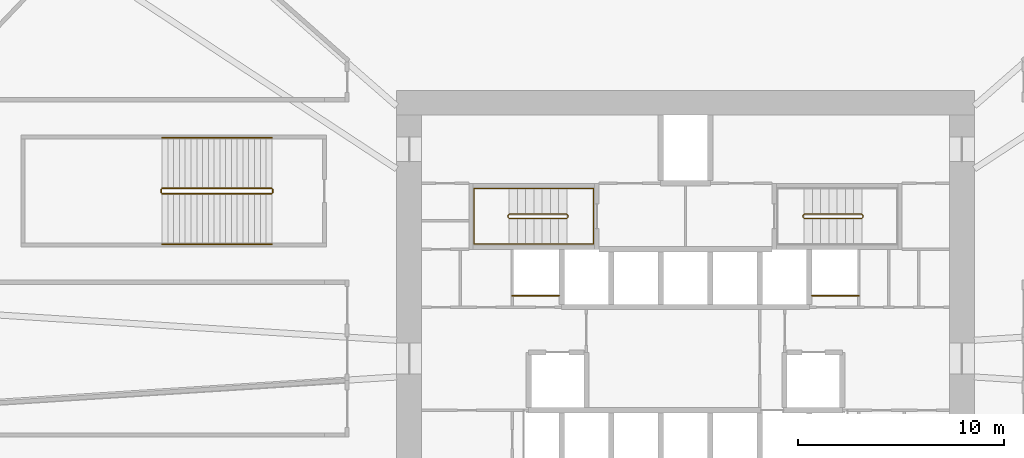
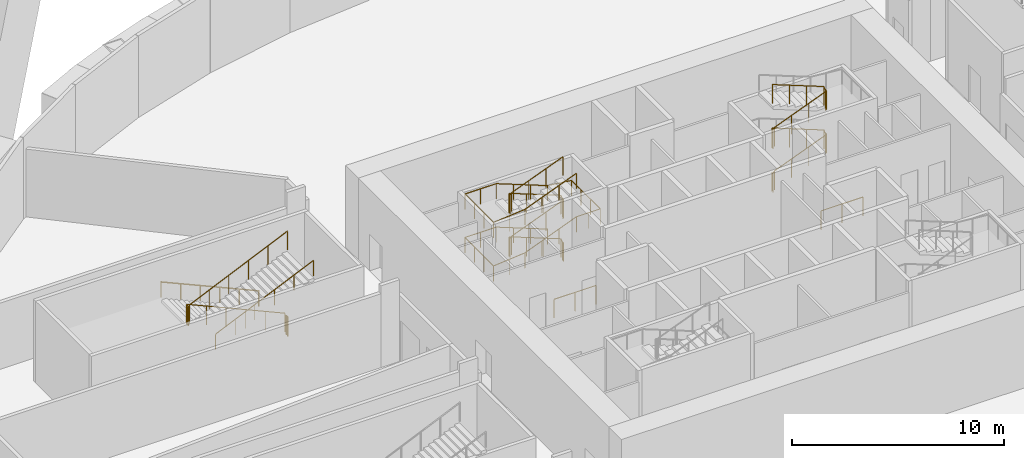
# One storey, part 15 of 16: 11 railings.
"""IFC4 building model written with IfcOpenShell, lengths in metres."""

from ifc_helpers import new_model, si_unit, direction, frame, origin, origin_2d, place, context, subcontext, project, spatial, circle, extrude, source, transform, mapped, material, type_object, element, save


model = new_model("IFC4")

# Units and contexts
model_context = context("Model", 3, precision=1e-05, world=origin(), true_north=direction((0.0, 1.0)))
body_context = subcontext(model_context, "Body", "Model", "MODEL_VIEW")
ifc_project = project(units=[si_unit("LENGTHUNIT", "METRE"), si_unit("AREAUNIT", "SQUARE_METRE"), si_unit("VOLUMEUNIT", "CUBIC_METRE"), si_unit("PLANEANGLEUNIT", "RADIAN"), si_unit("MASSUNIT", "GRAM", prefix="KILO")], contexts=[model_context])

# Site, building, storey
site_placement = place(None, origin())
site = spatial("IfcSite", under=ifc_project, at=site_placement, CompositionType="ELEMENT")
building_placement = place(site_placement, origin())
building = spatial("IfcBuilding", under=site, at=building_placement, Name="Embergate Tower", CompositionType="ELEMENT")
storey_placement = place(building_placement, frame((0.0, 0.0, 24.0)))
storey = spatial("IfcBuildingStorey", under=building, at=storey_placement, Name="L02", CompositionType="ELEMENT", Elevation=24.0)

# Railings
ifc_material_1 = material(Name="Stair guard 1100")
railing_type_1 = type_object("IfcRailingType", Name="Stair guard 1100", PredefinedType="GUARDRAIL", material=ifc_material_1)
shared_shape_1 = source(origin(), body_context, "Body", "SweptSolid", [
    extrude(circle(Radius=0.02392578125, at=origin_2d()), frame((0.0, 0.0, 1.076171875), z_axis=(0.0, 1.0, 0.0), x_axis=(-1.0, 0.0, 0.0)), (0.0, 0.0, 1.0), 0.099853515625),
    extrude(circle(Radius=0.02392578125, at=origin_2d()), frame((0.0, 0.099853515625, 1.076171875), z_axis=(-0.29177245553, 0.29177245553, 0.91089937336), x_axis=(-0.707106781187, -0.707106781187, 0.0)), (0.0, 0.0, 1.0), 0.171630859375),
    extrude(circle(Radius=0.02392578125, at=origin_2d()), frame((-0.050048828125, 0.14990234375, 1.232421875), z_axis=(-0.93145949984, 0.0, 0.363845022171), x_axis=(0.0, -1.0, 0.0)), (0.0, 0.0, 1.0), 3.006103515625),
    extrude(circle(Radius=0.02392578125, at=origin_2d()), frame((-2.85009765625, 0.14990234375, 2.326171875), z_axis=(-0.707106781187, -0.707106781187, 0.0), x_axis=(0.707106781187, -0.707106781187, 0.0)), (0.0, 0.0, 1.0), 0.07080078125),
    extrude(circle(Radius=0.02392578125, at=origin_2d()), frame((-2.900146484375, 0.099853515625, 2.326171875), z_axis=(0.0, -1.0, 0.0), x_axis=(1.0, 0.0, 0.0)), (0.0, 0.0, 1.0), 0.099853515625),
    extrude(circle(Radius=0.02392578125, at=origin_2d()), frame((-2.900146484375, 0.0, 2.326171875), z_axis=(0.29177245553, -0.29177245553, 0.91089937336), x_axis=(0.707106781187, 0.707106781187, 0.0)), (0.0, 0.0, 1.0), 0.171630859375),
    extrude(circle(Radius=0.02392578125, at=origin_2d()), frame((-2.85009765625, -0.050048828125, 2.482421875), z_axis=(0.93145949984, 0.0, 0.363845022171), x_axis=(0.0, 1.0, 0.0)), (0.0, 0.0, 1.0), 3.006103515625),
    extrude(circle(Radius=0.02392578125, at=origin_2d()), frame((-0.050048828125, -0.050048828125, 3.576171875), z_axis=(0.707106781187, 0.707106781187, 0.0), x_axis=(-0.707106781187, 0.707106781187, 0.0)), (0.0, 0.0, 1.0), 0.07080078125),
    extrude(circle(Radius=0.02392578125, at=origin_2d()), frame((0.0, 0.0, 3.576171875), z_axis=(0.0, 1.0, 0.0), x_axis=(-1.0, 0.0, 0.0)), (0.0, 0.0, 1.0), 0.099853515625),
    extrude(circle(Radius=0.02392578125, at=origin_2d()), frame((0.0, 0.099853515625, 3.576171875), z_axis=(-0.29177245553, 0.29177245553, 0.91089937336), x_axis=(-0.707106781187, -0.707106781187, 0.0)), (0.0, 0.0, 1.0), 0.171630859375),
    extrude(circle(Radius=0.02392578125, at=origin_2d()), frame((-0.050048828125, 0.14990234375, 3.732421875), z_axis=(-0.93145949984, 0.0, 0.363845022171), x_axis=(0.0, -1.0, 0.0)), (0.0, 0.0, 1.0), 3.006103515625),
    extrude(circle(Radius=0.02392578125, at=origin_2d()), frame((-2.85009765625, 0.14990234375, 4.826171875), z_axis=(-0.707106781187, -0.707106781187, 0.0), x_axis=(0.707106781187, -0.707106781187, 0.0)), (0.0, 0.0, 1.0), 0.07080078125),
    extrude(circle(Radius=0.02392578125, at=origin_2d()), frame((-2.900146484375, 0.099853515625, 4.826171875), z_axis=(0.0, -1.0, 0.0), x_axis=(1.0, 0.0, 0.0)), (0.0, 0.0, 1.0), 0.099853515625),
    extrude(circle(Radius=0.02392578125, at=origin_2d()), frame((-2.900146484375, 0.0, 4.826171875), z_axis=(0.29177245553, -0.29177245553, 0.91089937336), x_axis=(0.707106781187, 0.707106781187, 0.0)), (0.0, 0.0, 1.0), 0.171630859375),
    extrude(circle(Radius=0.02392578125, at=origin_2d()), frame((-2.85009765625, -0.050048828125, 4.982421875), z_axis=(0.93145949984, 0.0, 0.363845022171), x_axis=(0.0, 1.0, 0.0)), (0.0, 0.0, 1.0), 3.006103515625),
    extrude(circle(Radius=0.02099609375, at=origin_2d()), origin(), (0.0, 0.0, 1.0), 1.052001953125),
    extrude(circle(Radius=0.02099609375, at=origin_2d()), frame((0.0, 0.099853515625, 0.0)), (0.0, 0.0, 1.0), 1.052001953125),
    extrude(circle(Radius=0.02099609375, at=origin_2d()), frame((-0.050048828125, 0.14990234375, 0.15625)), (0.0, 0.0, 1.0), 1.052001953125),
    extrude(circle(Radius=0.02099609375, at=origin_2d()), frame((-0.9833984375, 0.14990234375, 0.520751953125)), (0.0, 0.0, 1.0), 1.052001953125),
    extrude(circle(Radius=0.02099609375, at=origin_2d()), frame((-1.916748046875, 0.14990234375, 0.885498046875)), (0.0, 0.0, 1.0), 1.052001953125),
    extrude(circle(Radius=0.02099609375, at=origin_2d()), frame((-2.85009765625, 0.14990234375, 1.25)), (0.0, 0.0, 1.0), 1.052001953125),
    extrude(circle(Radius=0.02099609375, at=origin_2d()), frame((-2.900146484375, 0.099853515625, 1.25)), (0.0, 0.0, 1.0), 1.052001953125),
    extrude(circle(Radius=0.02099609375, at=origin_2d()), frame((-2.900146484375, 0.0, 1.25)), (0.0, 0.0, 1.0), 1.052001953125),
    extrude(circle(Radius=0.02099609375, at=origin_2d()), frame((-2.85009765625, -0.050048828125, 1.40625)), (0.0, 0.0, 1.0), 1.052001953125),
    extrude(circle(Radius=0.02099609375, at=origin_2d()), frame((-1.916748046875, -0.050048828125, 1.770751953125)), (0.0, 0.0, 1.0), 1.052001953125),
    extrude(circle(Radius=0.02099609375, at=origin_2d()), frame((-0.9833984375, -0.050048828125, 2.135498046875)), (0.0, 0.0, 1.0), 1.052001953125),
    extrude(circle(Radius=0.02099609375, at=origin_2d()), frame((-0.050048828125, -0.050048828125, 2.5)), (0.0, 0.0, 1.0), 1.052001953125),
    extrude(circle(Radius=0.02099609375, at=origin_2d()), frame((0.0, 0.0, 2.5)), (0.0, 0.0, 1.0), 1.052001953125),
    extrude(circle(Radius=0.02099609375, at=origin_2d()), frame((0.0, 0.099853515625, 2.5)), (0.0, 0.0, 1.0), 1.052001953125),
    extrude(circle(Radius=0.02099609375, at=origin_2d()), frame((-0.050048828125, 0.14990234375, 2.65625)), (0.0, 0.0, 1.0), 1.052001953125),
    extrude(circle(Radius=0.02099609375, at=origin_2d()), frame((-0.9833984375, 0.14990234375, 3.020751953125)), (0.0, 0.0, 1.0), 1.052001953125),
    extrude(circle(Radius=0.02099609375, at=origin_2d()), frame((-1.916748046875, 0.14990234375, 3.385498046875)), (0.0, 0.0, 1.0), 1.052001953125),
    extrude(circle(Radius=0.02099609375, at=origin_2d()), frame((-2.85009765625, 0.14990234375, 3.75)), (0.0, 0.0, 1.0), 1.052001953125),
    extrude(circle(Radius=0.02099609375, at=origin_2d()), frame((-2.900146484375, 0.099853515625, 3.75)), (0.0, 0.0, 1.0), 1.052001953125),
    extrude(circle(Radius=0.02099609375, at=origin_2d()), frame((-2.900146484375, 0.0, 3.75)), (0.0, 0.0, 1.0), 1.052001953125),
    extrude(circle(Radius=0.02099609375, at=origin_2d()), frame((-2.85009765625, -0.050048828125, 3.90625)), (0.0, 0.0, 1.0), 1.052001953125),
    extrude(circle(Radius=0.02099609375, at=origin_2d()), frame((-1.916748046875, -0.050048828125, 4.270751953125)), (0.0, 0.0, 1.0), 1.052001953125),
    extrude(circle(Radius=0.02099609375, at=origin_2d()), frame((-0.9833984375, -0.050048828125, 4.635498046875)), (0.0, 0.0, 1.0), 1.052001953125),
    extrude(circle(Radius=0.02099609375, at=origin_2d()), frame((-0.050048828125, -0.050048828125, 5.0)), (0.0, 0.0, 1.0), 1.052001953125),
])
railing_1_placement = place(storey_placement, frame((-5.699951171875, 6.85009765625, 0.0)))
element("IfcRailing", 1, at=railing_1_placement, inside=storey, type_object=railing_type_1, Name="L02 ST1 stair guard 1", PredefinedType="GUARDRAIL", context=body_context, shape_type="MappedRepresentation", body=[
    mapped(shared_shape_1, transform((0.0, 0.0, 0.0))),
])
ifc_material_2 = material(Name="Stair handrail 900")
railing_type_2 = type_object("IfcRailingType", Name="Stair handrail 900", PredefinedType="HANDRAIL", material=ifc_material_2)
shared_shape_2 = source(origin(), body_context, "Body", "SweptSolid", [
    extrude(circle(Radius=0.02392578125, at=origin_2d()), frame((0.0, 0.0, 0.8759765625), z_axis=(-0.93145949984, 0.0, 0.363845022171), x_axis=(0.0, -1.0, 0.0)), (0.0, 0.0, 1.0), 3.006103515625),
    extrude(circle(Radius=0.02392578125, at=origin_2d()), frame((-2.800048828125, 0.0, 1.9697265625), z_axis=(-1.0, 0.0, 0.0), x_axis=(0.0, -1.0, 0.0)), (0.0, 0.0, 1.0), 1.699951171875),
    extrude(circle(Radius=0.02392578125, at=origin_2d()), frame((-4.5, 0.0, 1.9697265625), z_axis=(0.0, -1.0, 0.0), x_axis=(1.0, 0.0, 0.0)), (0.0, 0.0, 1.0), 2.699951171875),
    extrude(circle(Radius=0.02392578125, at=origin_2d()), frame((-4.5, -2.699951171875, 1.9697265625), z_axis=(0.995802448953, 0.0, 0.091528589305), x_axis=(0.0, 1.0, 0.0)), (0.0, 0.0, 1.0), 1.70703125),
    extrude(circle(Radius=0.02392578125, at=origin_2d()), frame((-2.800048828125, -2.699951171875, 2.1259765625), z_axis=(0.93145949984, 0.0, 0.363845022171), x_axis=(0.0, 1.0, 0.0)), (0.0, 0.0, 1.0), 3.006103515625),
    extrude(circle(Radius=0.02392578125, at=origin_2d()), frame((0.0, -2.699951171875, 3.2197265625), z_axis=(1.0, 0.0, 0.0), x_axis=(0.0, 1.0, 0.0)), (0.0, 0.0, 1.0), 1.300048828125),
    extrude(circle(Radius=0.02392578125, at=origin_2d()), frame((1.300048828125, -2.699951171875, 3.2197265625), z_axis=(0.0, 1.0, 0.0), x_axis=(-1.0, 0.0, 0.0)), (0.0, 0.0, 1.0), 2.699951171875),
    extrude(circle(Radius=0.02392578125, at=origin_2d()), frame((1.300048828125, 0.0, 3.2197265625), z_axis=(-0.992854764896, 0.0, 0.119329023387), x_axis=(0.0, -1.0, 0.0)), (0.0, 0.0, 1.0), 1.309326171875),
    extrude(circle(Radius=0.02392578125, at=origin_2d()), frame((0.0, 0.0, 3.3759765625), z_axis=(-0.93145949984, 0.0, 0.363845022171), x_axis=(0.0, -1.0, 0.0)), (0.0, 0.0, 1.0), 3.006103515625),
    extrude(circle(Radius=0.02392578125, at=origin_2d()), frame((-2.800048828125, 0.0, 4.4697265625), z_axis=(-1.0, 0.0, 0.0), x_axis=(0.0, -1.0, 0.0)), (0.0, 0.0, 1.0), 1.699951171875),
    extrude(circle(Radius=0.02392578125, at=origin_2d()), frame((-4.5, 0.0, 4.4697265625), z_axis=(0.0, -1.0, 0.0), x_axis=(1.0, 0.0, 0.0)), (0.0, 0.0, 1.0), 2.699951171875),
    extrude(circle(Radius=0.02392578125, at=origin_2d()), frame((-4.5, -2.699951171875, 4.4697265625), z_axis=(0.995802448953, 0.0, 0.091528589305), x_axis=(0.0, 1.0, 0.0)), (0.0, 0.0, 1.0), 1.70703125),
    extrude(circle(Radius=0.02392578125, at=origin_2d()), frame((-2.800048828125, -2.699951171875, 4.6259765625), z_axis=(0.93145949984, 0.0, 0.363845022171), x_axis=(0.0, 1.0, 0.0)), (0.0, 0.0, 1.0), 3.006103515625),
    extrude(circle(Radius=0.02099609375, at=origin_2d()), origin(), (0.0, 0.0, 1.0), 0.851806640625),
    extrude(circle(Radius=0.02099609375, at=origin_2d()), frame((-0.933349609375, 0.0, 0.364501953125)), (0.0, 0.0, 1.0), 0.851806640625),
    extrude(circle(Radius=0.02099609375, at=origin_2d()), frame((-1.86669921875, 0.0, 0.729248046875)), (0.0, 0.0, 1.0), 0.851806640625),
    extrude(circle(Radius=0.02099609375, at=origin_2d()), frame((-2.800048828125, 0.0, 1.09375)), (0.0, 0.0, 1.0), 0.851806640625),
    extrude(circle(Radius=0.02099609375, at=origin_2d()), frame((-3.64990234375, 0.0, 1.09375)), (0.0, 0.0, 1.0), 0.851806640625),
    extrude(circle(Radius=0.02099609375, at=origin_2d()), frame((-4.5, 0.0, 1.09375)), (0.0, 0.0, 1.0), 0.851806640625),
    extrude(circle(Radius=0.02099609375, at=origin_2d()), frame((-4.5, -0.89990234375, 1.09375)), (0.0, 0.0, 1.0), 0.851806640625),
    extrude(circle(Radius=0.02099609375, at=origin_2d()), frame((-4.5, -1.800048828125, 1.09375)), (0.0, 0.0, 1.0), 0.851806640625),
    extrude(circle(Radius=0.02099609375, at=origin_2d()), frame((-4.5, -2.699951171875, 1.09375)), (0.0, 0.0, 1.0), 0.851806640625),
    extrude(circle(Radius=0.02099609375, at=origin_2d()), frame((-3.64990234375, -2.699951171875, 1.171875)), (0.0, 0.0, 1.0), 0.851806640625),
    extrude(circle(Radius=0.02099609375, at=origin_2d()), frame((-2.800048828125, -2.699951171875, 1.25)), (0.0, 0.0, 1.0), 0.851806640625),
    extrude(circle(Radius=0.02099609375, at=origin_2d()), frame((-1.86669921875, -2.699951171875, 1.614501953125)), (0.0, 0.0, 1.0), 0.851806640625),
    extrude(circle(Radius=0.02099609375, at=origin_2d()), frame((-0.933349609375, -2.699951171875, 1.979248046875)), (0.0, 0.0, 1.0), 0.851806640625),
    extrude(circle(Radius=0.02099609375, at=origin_2d()), frame((0.0, -2.699951171875, 2.34375)), (0.0, 0.0, 1.0), 0.851806640625),
    extrude(circle(Radius=0.02099609375, at=origin_2d()), frame((0.64990234375, -2.699951171875, 2.34375)), (0.0, 0.0, 1.0), 0.851806640625),
    extrude(circle(Radius=0.02099609375, at=origin_2d()), frame((1.300048828125, -2.699951171875, 2.34375)), (0.0, 0.0, 1.0), 0.851806640625),
    extrude(circle(Radius=0.02099609375, at=origin_2d()), frame((1.300048828125, -1.800048828125, 2.34375)), (0.0, 0.0, 1.0), 0.851806640625),
    extrude(circle(Radius=0.02099609375, at=origin_2d()), frame((1.300048828125, -0.89990234375, 2.34375)), (0.0, 0.0, 1.0), 0.851806640625),
    extrude(circle(Radius=0.02099609375, at=origin_2d()), frame((1.300048828125, 0.0, 2.34375)), (0.0, 0.0, 1.0), 0.851806640625),
    extrude(circle(Radius=0.02099609375, at=origin_2d()), frame((0.64990234375, 0.0, 2.421875)), (0.0, 0.0, 1.0), 0.851806640625),
    extrude(circle(Radius=0.02099609375, at=origin_2d()), frame((0.0, 0.0, 2.5)), (0.0, 0.0, 1.0), 0.851806640625),
    extrude(circle(Radius=0.02099609375, at=origin_2d()), frame((-0.933349609375, 0.0, 2.864501953125)), (0.0, 0.0, 1.0), 0.851806640625),
    extrude(circle(Radius=0.02099609375, at=origin_2d()), frame((-1.86669921875, 0.0, 3.229248046875)), (0.0, 0.0, 1.0), 0.851806640625),
    extrude(circle(Radius=0.02099609375, at=origin_2d()), frame((-2.800048828125, 0.0, 3.59375)), (0.0, 0.0, 1.0), 0.851806640625),
    extrude(circle(Radius=0.02099609375, at=origin_2d()), frame((-3.64990234375, 0.0, 3.59375)), (0.0, 0.0, 1.0), 0.851806640625),
    extrude(circle(Radius=0.02099609375, at=origin_2d()), frame((-4.5, 0.0, 3.59375)), (0.0, 0.0, 1.0), 0.851806640625),
    extrude(circle(Radius=0.02099609375, at=origin_2d()), frame((-4.5, -0.89990234375, 3.59375)), (0.0, 0.0, 1.0), 0.851806640625),
    extrude(circle(Radius=0.02099609375, at=origin_2d()), frame((-4.5, -1.800048828125, 3.59375)), (0.0, 0.0, 1.0), 0.851806640625),
    extrude(circle(Radius=0.02099609375, at=origin_2d()), frame((-4.5, -2.699951171875, 3.59375)), (0.0, 0.0, 1.0), 0.851806640625),
    extrude(circle(Radius=0.02099609375, at=origin_2d()), frame((-3.64990234375, -2.699951171875, 3.671875)), (0.0, 0.0, 1.0), 0.851806640625),
    extrude(circle(Radius=0.02099609375, at=origin_2d()), frame((-2.800048828125, -2.699951171875, 3.75)), (0.0, 0.0, 1.0), 0.851806640625),
    extrude(circle(Radius=0.02099609375, at=origin_2d()), frame((-1.86669921875, -2.699951171875, 4.114501953125)), (0.0, 0.0, 1.0), 0.851806640625),
    extrude(circle(Radius=0.02099609375, at=origin_2d()), frame((-0.933349609375, -2.699951171875, 4.479248046875)), (0.0, 0.0, 1.0), 0.851806640625),
    extrude(circle(Radius=0.02099609375, at=origin_2d()), frame((0.0, -2.699951171875, 4.84375)), (0.0, 0.0, 1.0), 0.851806640625),
])
railing_2_placement = place(storey_placement, frame((-5.75, 8.25, 0.15625)))
element("IfcRailing", 2, at=railing_2_placement, inside=storey, type_object=railing_type_2, Name="L02 ST1 stair handrail 1", PredefinedType="HANDRAIL", context=body_context, shape_type="MappedRepresentation", body=[
    mapped(shared_shape_2, transform((0.0, 0.0, 0.0))),
])
shared_shape_3 = source(origin(), body_context, "Body", "SweptSolid", [
    extrude(circle(Radius=0.02392578125, at=origin_2d()), frame((0.0, 0.0, 1.076171875), z_axis=(0.0, -1.0, 0.0), x_axis=(1.0, 0.0, 0.0)), (0.0, 0.0, 1.0), 0.099853515625),
    extrude(circle(Radius=0.02392578125, at=origin_2d()), frame((0.0, -0.099853515625, 1.076171875), z_axis=(0.29177245553, -0.29177245553, 0.91089937336), x_axis=(0.707106781187, 0.707106781187, 0.0)), (0.0, 0.0, 1.0), 0.171630859375),
    extrude(circle(Radius=0.02392578125, at=origin_2d()), frame((0.050048828125, -0.14990234375, 1.232421875), z_axis=(0.93145949984, 0.0, 0.363845022171), x_axis=(0.0, 1.0, 0.0)), (0.0, 0.0, 1.0), 3.006103515625),
    extrude(circle(Radius=0.02392578125, at=origin_2d()), frame((2.85009765625, -0.14990234375, 2.326171875), z_axis=(0.707106781187, 0.707106781187, 0.0), x_axis=(-0.707106781187, 0.707106781187, 0.0)), (0.0, 0.0, 1.0), 0.07080078125),
    extrude(circle(Radius=0.02392578125, at=origin_2d()), frame((2.900146484375, -0.099853515625, 2.326171875), z_axis=(0.0, 1.0, 0.0), x_axis=(-1.0, 0.0, 0.0)), (0.0, 0.0, 1.0), 0.099853515625),
    extrude(circle(Radius=0.02392578125, at=origin_2d()), frame((2.900146484375, 0.0, 2.326171875), z_axis=(-0.29177245553, 0.29177245553, 0.91089937336), x_axis=(-0.707106781187, -0.707106781187, 0.0)), (0.0, 0.0, 1.0), 0.171630859375),
    extrude(circle(Radius=0.02392578125, at=origin_2d()), frame((2.85009765625, 0.050048828125, 2.482421875), z_axis=(-0.93145949984, 0.0, 0.363845022171), x_axis=(0.0, -1.0, 0.0)), (0.0, 0.0, 1.0), 3.006103515625),
    extrude(circle(Radius=0.02392578125, at=origin_2d()), frame((0.050048828125, 0.050048828125, 3.576171875), z_axis=(-0.707106781187, -0.707106781187, 0.0), x_axis=(0.707106781187, -0.707106781187, 0.0)), (0.0, 0.0, 1.0), 0.07080078125),
    extrude(circle(Radius=0.02392578125, at=origin_2d()), frame((0.0, 0.0, 3.576171875), z_axis=(0.0, -1.0, 0.0), x_axis=(1.0, 0.0, 0.0)), (0.0, 0.0, 1.0), 0.099853515625),
    extrude(circle(Radius=0.02392578125, at=origin_2d()), frame((0.0, -0.099853515625, 3.576171875), z_axis=(0.29177245553, -0.29177245553, 0.91089937336), x_axis=(0.707106781187, 0.707106781187, 0.0)), (0.0, 0.0, 1.0), 0.171630859375),
    extrude(circle(Radius=0.02392578125, at=origin_2d()), frame((0.050048828125, -0.14990234375, 3.732421875), z_axis=(0.93145949984, 0.0, 0.363845022171), x_axis=(0.0, 1.0, 0.0)), (0.0, 0.0, 1.0), 3.006103515625),
    extrude(circle(Radius=0.02392578125, at=origin_2d()), frame((2.85009765625, -0.14990234375, 4.826171875), z_axis=(0.707106781187, 0.707106781187, 0.0), x_axis=(-0.707106781187, 0.707106781187, 0.0)), (0.0, 0.0, 1.0), 0.07080078125),
    extrude(circle(Radius=0.02392578125, at=origin_2d()), frame((2.900146484375, -0.099853515625, 4.826171875), z_axis=(0.0, 1.0, 0.0), x_axis=(-1.0, 0.0, 0.0)), (0.0, 0.0, 1.0), 0.099853515625),
    extrude(circle(Radius=0.02392578125, at=origin_2d()), frame((2.900146484375, 0.0, 4.826171875), z_axis=(-0.29177245553, 0.29177245553, 0.91089937336), x_axis=(-0.707106781187, -0.707106781187, 0.0)), (0.0, 0.0, 1.0), 0.171630859375),
    extrude(circle(Radius=0.02392578125, at=origin_2d()), frame((2.85009765625, 0.050048828125, 4.982421875), z_axis=(-0.93145949984, 0.0, 0.363845022171), x_axis=(0.0, -1.0, 0.0)), (0.0, 0.0, 1.0), 3.006103515625),
    extrude(circle(Radius=0.02099609375, at=origin_2d()), origin(), (0.0, 0.0, 1.0), 1.052001953125),
    extrude(circle(Radius=0.02099609375, at=origin_2d()), frame((0.0, -0.099853515625, 0.0)), (0.0, 0.0, 1.0), 1.052001953125),
    extrude(circle(Radius=0.02099609375, at=origin_2d()), frame((0.050048828125, -0.14990234375, 0.15625)), (0.0, 0.0, 1.0), 1.052001953125),
    extrude(circle(Radius=0.02099609375, at=origin_2d()), frame((0.9833984375, -0.14990234375, 0.520751953125)), (0.0, 0.0, 1.0), 1.052001953125),
    extrude(circle(Radius=0.02099609375, at=origin_2d()), frame((1.916748046875, -0.14990234375, 0.885498046875)), (0.0, 0.0, 1.0), 1.052001953125),
    extrude(circle(Radius=0.02099609375, at=origin_2d()), frame((2.85009765625, -0.14990234375, 1.25)), (0.0, 0.0, 1.0), 1.052001953125),
    extrude(circle(Radius=0.02099609375, at=origin_2d()), frame((2.900146484375, -0.099853515625, 1.25)), (0.0, 0.0, 1.0), 1.052001953125),
    extrude(circle(Radius=0.02099609375, at=origin_2d()), frame((2.900146484375, 0.0, 1.25)), (0.0, 0.0, 1.0), 1.052001953125),
    extrude(circle(Radius=0.02099609375, at=origin_2d()), frame((2.85009765625, 0.050048828125, 1.40625)), (0.0, 0.0, 1.0), 1.052001953125),
    extrude(circle(Radius=0.02099609375, at=origin_2d()), frame((1.916748046875, 0.050048828125, 1.770751953125)), (0.0, 0.0, 1.0), 1.052001953125),
    extrude(circle(Radius=0.02099609375, at=origin_2d()), frame((0.9833984375, 0.050048828125, 2.135498046875)), (0.0, 0.0, 1.0), 1.052001953125),
    extrude(circle(Radius=0.02099609375, at=origin_2d()), frame((0.050048828125, 0.050048828125, 2.5)), (0.0, 0.0, 1.0), 1.052001953125),
    extrude(circle(Radius=0.02099609375, at=origin_2d()), frame((0.0, 0.0, 2.5)), (0.0, 0.0, 1.0), 1.052001953125),
    extrude(circle(Radius=0.02099609375, at=origin_2d()), frame((0.0, -0.099853515625, 2.5)), (0.0, 0.0, 1.0), 1.052001953125),
    extrude(circle(Radius=0.02099609375, at=origin_2d()), frame((0.050048828125, -0.14990234375, 2.65625)), (0.0, 0.0, 1.0), 1.052001953125),
    extrude(circle(Radius=0.02099609375, at=origin_2d()), frame((0.9833984375, -0.14990234375, 3.020751953125)), (0.0, 0.0, 1.0), 1.052001953125),
    extrude(circle(Radius=0.02099609375, at=origin_2d()), frame((1.916748046875, -0.14990234375, 3.385498046875)), (0.0, 0.0, 1.0), 1.052001953125),
    extrude(circle(Radius=0.02099609375, at=origin_2d()), frame((2.85009765625, -0.14990234375, 3.75)), (0.0, 0.0, 1.0), 1.052001953125),
    extrude(circle(Radius=0.02099609375, at=origin_2d()), frame((2.900146484375, -0.099853515625, 3.75)), (0.0, 0.0, 1.0), 1.052001953125),
    extrude(circle(Radius=0.02099609375, at=origin_2d()), frame((2.900146484375, 0.0, 3.75)), (0.0, 0.0, 1.0), 1.052001953125),
    extrude(circle(Radius=0.02099609375, at=origin_2d()), frame((2.85009765625, 0.050048828125, 3.90625)), (0.0, 0.0, 1.0), 1.052001953125),
    extrude(circle(Radius=0.02099609375, at=origin_2d()), frame((1.916748046875, 0.050048828125, 4.270751953125)), (0.0, 0.0, 1.0), 1.052001953125),
    extrude(circle(Radius=0.02099609375, at=origin_2d()), frame((0.9833984375, 0.050048828125, 4.635498046875)), (0.0, 0.0, 1.0), 1.052001953125),
    extrude(circle(Radius=0.02099609375, at=origin_2d()), frame((0.050048828125, 0.050048828125, 5.0)), (0.0, 0.0, 1.0), 1.052001953125),
])
railing_3_placement = place(storey_placement, frame((5.699951171875, 6.949951171875, 0.0)))
element("IfcRailing", 3, at=railing_3_placement, inside=storey, type_object=railing_type_1, Name="L02 ST2 stair guard 1", PredefinedType="GUARDRAIL", context=body_context, shape_type="MappedRepresentation", body=[
    mapped(shared_shape_3, transform((0.0, 0.0, 0.0))),
])
ifc_material_3 = material(Name="Opening guard 1100")
railing_type_3 = type_object("IfcRailingType", Name="Opening guard 1100", PredefinedType="GUARDRAIL", material=ifc_material_3)
shared_shape_4 = source(origin(), body_context, "Body", "SweptSolid", [
    extrude(circle(Radius=0.02392578125, at=origin_2d()), frame((0.0, 0.0, 1.076171875), z_axis=(1.0, 0.0, 0.0), x_axis=(0.0, 1.0, 0.0)), (0.0, 0.0, 1.0), 2.27490234375),
    extrude(circle(Radius=0.02099609375, at=origin_2d()), origin(), (0.0, 0.0, 1.0), 1.052001953125),
    extrude(circle(Radius=0.02099609375, at=origin_2d()), frame((1.137451171875, 0.0, 0.0)), (0.0, 0.0, 1.0), 1.052001953125),
    extrude(circle(Radius=0.02099609375, at=origin_2d()), frame((2.27490234375, 0.0, 0.0)), (0.0, 0.0, 1.0), 1.052001953125),
])
for number, where, name in (
    (4, (-8.39990234375, 3.050048828125, 0.0), "Riser opening guard"),
    (5, (6.125, 3.050048828125, 0.0), "Riser opening guard"),
):
    element("IfcRailing", number, at=place(storey_placement, frame(where)), inside=storey, type_object=railing_type_3, Name=name, PredefinedType="GUARDRAIL", context=body_context, shape_type="MappedRepresentation", body=[
        mapped(shared_shape_4, transform((0.0, 0.0, 0.0))),
    ])
ifc_material_4 = material(Name="Steel", Category="steel")
railing_type_4 = type_object("IfcRailingType", Name="Podium stair guard 1100", PredefinedType="GUARDRAIL", material=ifc_material_4)
shared_shape_5 = source(origin(), body_context, "Body", "SweptSolid", [
    extrude(circle(Radius=0.02392578125, at=origin_2d()), frame((0.0, 0.0, 1.076171875), z_axis=(0.913139832249, 0.0, 0.407646472769), x_axis=(0.0, 1.0, 0.0)), (0.0, 0.0, 1.0), 5.826171875),
    extrude(circle(Radius=0.02099609375, at=origin_2d()), origin(), (0.0, 0.0, 1.0), 1.052001953125),
    extrude(circle(Radius=0.02099609375, at=origin_2d()), frame((1.06396484375, 0.0, 0.47509765625)), (0.0, 0.0, 1.0), 1.052001953125),
    extrude(circle(Radius=0.02099609375, at=origin_2d()), frame((2.1279296875, 0.0, 0.949951171875)), (0.0, 0.0, 1.0), 1.052001953125),
    extrude(circle(Radius=0.02099609375, at=origin_2d()), frame((3.192138671875, 0.0, 1.425048828125)), (0.0, 0.0, 1.0), 1.052001953125),
    extrude(circle(Radius=0.02099609375, at=origin_2d()), frame((4.256103515625, 0.0, 1.89990234375)), (0.0, 0.0, 1.0), 1.052001953125),
    extrude(circle(Radius=0.02099609375, at=origin_2d()), frame((5.320068359375, 0.0, 2.375)), (0.0, 0.0, 1.0), 1.052001953125),
])
railing_4_placement = place(storey_placement, frame((-25.3701171875, 8.0, 2.625)))
element("IfcRailing", 6, at=railing_4_placement, inside=storey, type_object=railing_type_4, Name="L02 P3 stair guard 3", PredefinedType="GUARDRAIL", context=body_context, shape_type="MappedRepresentation", body=[
    mapped(shared_shape_5, transform((0.0, 0.0, 0.0))),
])
shared_shape_6 = source(origin(), body_context, "Body", "SweptSolid", [
    extrude(circle(Radius=0.02392578125, at=origin_2d()), frame((0.0, 0.0, 1.076171875), z_axis=(-0.913139832249, 0.0, 0.407646472769), x_axis=(0.0, -1.0, 0.0)), (0.0, 0.0, 1.0), 5.826171875),
    extrude(circle(Radius=0.02099609375, at=origin_2d()), origin(), (0.0, 0.0, 1.0), 1.052001953125),
    extrude(circle(Radius=0.02099609375, at=origin_2d()), frame((-1.06396484375, 0.0, 0.47509765625)), (0.0, 0.0, 1.0), 1.052001953125),
    extrude(circle(Radius=0.02099609375, at=origin_2d()), frame((-2.1279296875, 0.0, 0.949951171875)), (0.0, 0.0, 1.0), 1.052001953125),
    extrude(circle(Radius=0.02099609375, at=origin_2d()), frame((-3.192138671875, 0.0, 1.425048828125)), (0.0, 0.0, 1.0), 1.052001953125),
    extrude(circle(Radius=0.02099609375, at=origin_2d()), frame((-4.256103515625, 0.0, 1.89990234375)), (0.0, 0.0, 1.0), 1.052001953125),
    extrude(circle(Radius=0.02099609375, at=origin_2d()), frame((-5.320068359375, 0.0, 2.375)), (0.0, 0.0, 1.0), 1.052001953125),
])
railing_5_placement = place(storey_placement, frame((-20.050048828125, 8.25, 0.125)))
element("IfcRailing", 7, at=railing_5_placement, inside=storey, type_object=railing_type_4, Name="L02 P3 stair guard 1", PredefinedType="GUARDRAIL", context=body_context, shape_type="MappedRepresentation", body=[
    mapped(shared_shape_6, transform((0.0, 0.0, 0.0))),
])
railing_type_5 = type_object("IfcRailingType", Name="Podium stair handrail 900", PredefinedType="HANDRAIL", material=ifc_material_4)
shared_shape_7 = source(origin(), body_context, "Body", "SweptSolid", [
    extrude(circle(Radius=0.02392578125, at=origin_2d()), frame((0.0, 0.0, 0.8759765625), z_axis=(0.913139832249, 0.0, 0.407646472769), x_axis=(0.0, 1.0, 0.0)), (0.0, 0.0, 1.0), 5.826171875),
    extrude(circle(Radius=0.02099609375, at=origin_2d()), origin(), (0.0, 0.0, 1.0), 0.851806640625),
    extrude(circle(Radius=0.02099609375, at=origin_2d()), frame((1.06396484375, 0.0, 0.47509765625)), (0.0, 0.0, 1.0), 0.851806640625),
    extrude(circle(Radius=0.02099609375, at=origin_2d()), frame((2.1279296875, 0.0, 0.949951171875)), (0.0, 0.0, 1.0), 0.851806640625),
    extrude(circle(Radius=0.02099609375, at=origin_2d()), frame((3.192138671875, 0.0, 1.425048828125)), (0.0, 0.0, 1.0), 0.851806640625),
    extrude(circle(Radius=0.02099609375, at=origin_2d()), frame((4.256103515625, 0.0, 1.89990234375)), (0.0, 0.0, 1.0), 0.851806640625),
    extrude(circle(Radius=0.02099609375, at=origin_2d()), frame((5.320068359375, 0.0, 2.375)), (0.0, 0.0, 1.0), 0.851806640625),
])
railing_6_placement = place(storey_placement, frame((-25.3701171875, 5.550048828125, 2.625)))
element("IfcRailing", 8, at=railing_6_placement, inside=storey, type_object=railing_type_5, Name="L02 P3 stair handrail 2", PredefinedType="HANDRAIL", context=body_context, shape_type="MappedRepresentation", body=[
    mapped(shared_shape_7, transform((0.0, 0.0, 0.0))),
])
shared_shape_8 = source(origin(), body_context, "Body", "SweptSolid", [
    extrude(circle(Radius=0.02392578125, at=origin_2d()), frame((0.0, 0.0, 0.8759765625), z_axis=(-0.913139832249, 0.0, 0.407646472769), x_axis=(0.0, -1.0, 0.0)), (0.0, 0.0, 1.0), 5.826171875),
    extrude(circle(Radius=0.02099609375, at=origin_2d()), origin(), (0.0, 0.0, 1.0), 0.851806640625),
    extrude(circle(Radius=0.02099609375, at=origin_2d()), frame((-1.06396484375, 0.0, 0.47509765625)), (0.0, 0.0, 1.0), 0.851806640625),
    extrude(circle(Radius=0.02099609375, at=origin_2d()), frame((-2.1279296875, 0.0, 0.949951171875)), (0.0, 0.0, 1.0), 0.851806640625),
    extrude(circle(Radius=0.02099609375, at=origin_2d()), frame((-3.192138671875, 0.0, 1.425048828125)), (0.0, 0.0, 1.0), 0.851806640625),
    extrude(circle(Radius=0.02099609375, at=origin_2d()), frame((-4.256103515625, 0.0, 1.89990234375)), (0.0, 0.0, 1.0), 0.851806640625),
    extrude(circle(Radius=0.02099609375, at=origin_2d()), frame((-5.320068359375, 0.0, 2.375)), (0.0, 0.0, 1.0), 0.851806640625),
])
railing_7_placement = place(storey_placement, frame((-20.050048828125, 10.699951171875, 0.125)))
element("IfcRailing", 9, at=railing_7_placement, inside=storey, type_object=railing_type_5, Name="L02 P3 stair handrail 1", PredefinedType="HANDRAIL", context=body_context, shape_type="MappedRepresentation", body=[
    mapped(shared_shape_8, transform((0.0, 0.0, 0.0))),
])
shared_shape_9 = source(origin(), body_context, "Body", "SweptSolid", [
    extrude(circle(Radius=0.02392578125, at=origin_2d()), frame((0.0, 0.0, 1.076171875), z_axis=(0.0, -1.0, 0.0), x_axis=(1.0, 0.0, 0.0)), (0.0, 0.0, 1.0), 0.14990234375),
    extrude(circle(Radius=0.02099609375, at=origin_2d()), origin(), (0.0, 0.0, 1.0), 1.052001953125),
    extrude(circle(Radius=0.02099609375, at=origin_2d()), frame((0.0, -0.14990234375, 0.0)), (0.0, 0.0, 1.0), 1.052001953125),
])
for number, where, name in (
    (10, (-25.419921875, 8.199951171875, 2.5), "L02 P3 stair guard 2"),
    (11, (-20.0, 8.199951171875, 0.0), "L02 P3 stair guard 4"),
):
    element("IfcRailing", number, at=place(storey_placement, frame(where)), inside=storey, type_object=railing_type_4, Name=name, PredefinedType="GUARDRAIL", context=body_context, shape_type="MappedRepresentation", body=[
        mapped(shared_shape_9, transform((0.0, 0.0, 0.0))),
    ])

save(model, "model.ifc")
